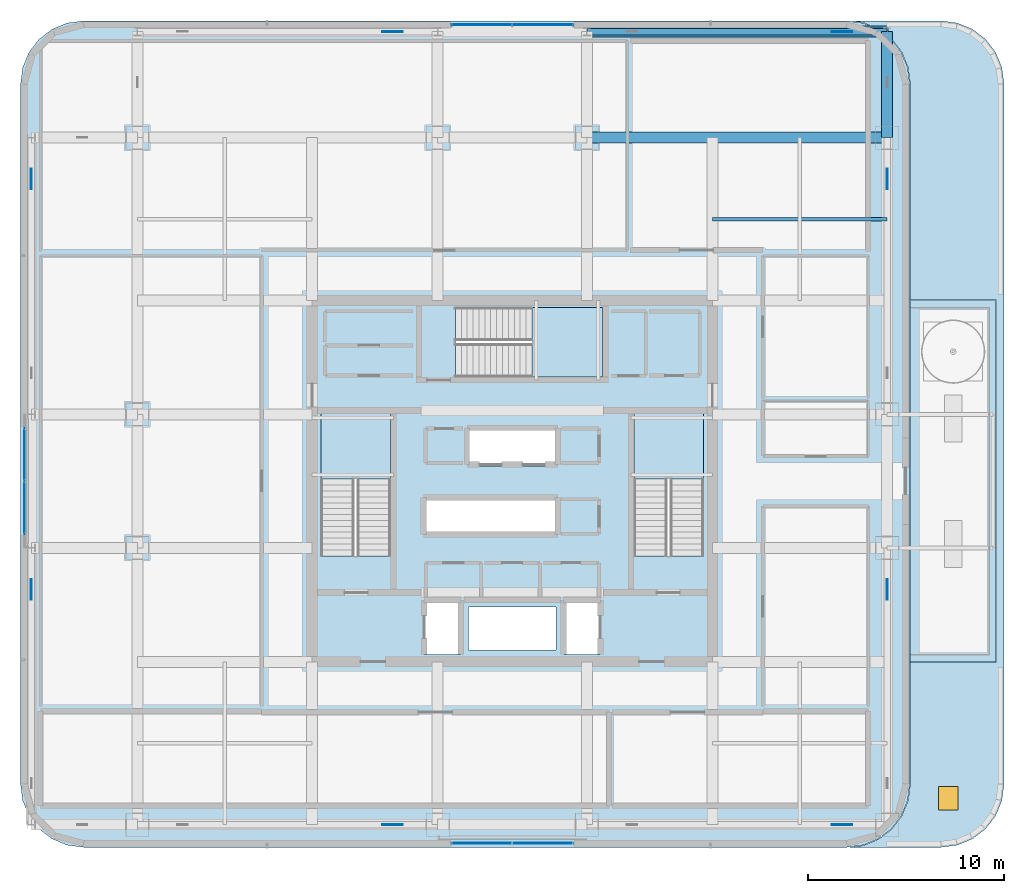
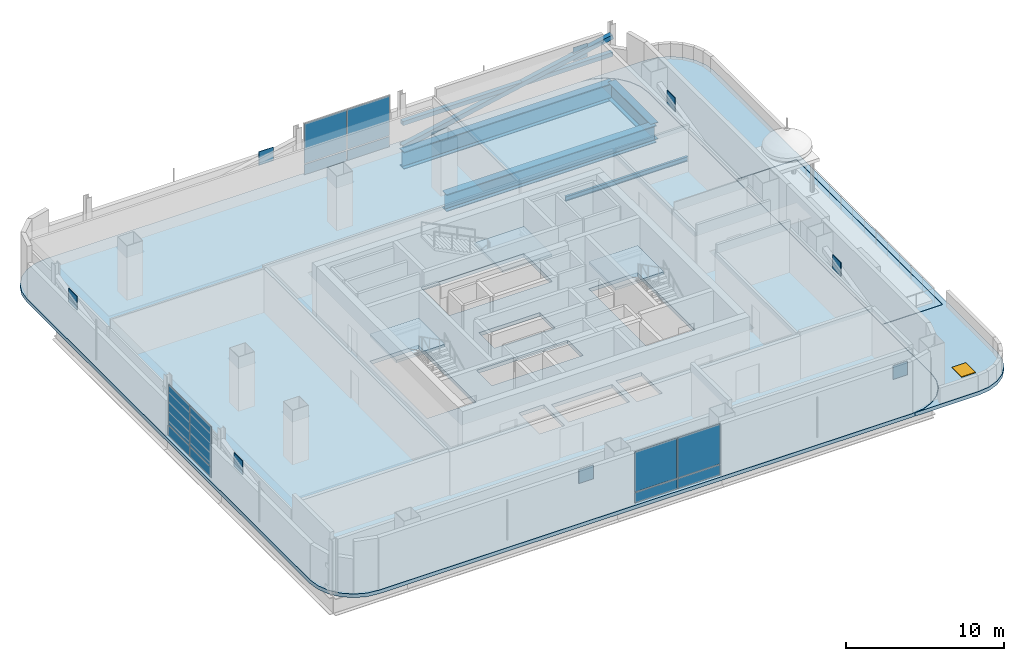
# One storey, part 8 of 31: 20 plates, 6 slabs, 4 beams, 2 members, 1 door, 1 opening, 6 elements without a shape of their own.
"""IFC4 building model written with IfcOpenShell, lengths in metres."""

from ifc_helpers import new_model, si_unit, direction, frame, origin, origin_2d, place, context, subcontext, project, spatial, polyline, rectangle, hollow_rectangle, i_section, outline, extrude, material, layer, layer_set, material_profile, profile_set, type_object, element, fill, aggregate, save


model = new_model("IFC4")

# Units and contexts
model_context = context("Model", 3, precision=1e-05, world=origin(), true_north=direction((0.0, 1.0)))
body_context = subcontext(model_context, "Body", "Model", "MODEL_VIEW")
ifc_project = project(units=[si_unit("LENGTHUNIT", "METRE"), si_unit("AREAUNIT", "SQUARE_METRE"), si_unit("VOLUMEUNIT", "CUBIC_METRE"), si_unit("PLANEANGLEUNIT", "RADIAN"), si_unit("MASSUNIT", "GRAM", prefix="KILO")], contexts=[model_context])

# Site, building, storey
site_placement = place(None, origin())
site = spatial("IfcSite", under=ifc_project, at=site_placement, CompositionType="ELEMENT")
building_placement = place(site_placement, origin())
building = spatial("IfcBuilding", under=site, at=building_placement, Name="Punatoya Terracotta Tower", CompositionType="ELEMENT")
storey_placement = place(building_placement, frame((0.0, 0.0, 283.800048828125)))
storey = spatial("IfcBuildingStorey", under=building, at=storey_placement, Name="L67", CompositionType="ELEMENT", Elevation=283.800048828125)

# Beams
ifc_material_1 = material(Name="Steel S355", Category="steel")
ifc_material_profile_1 = material_profile(ifc_material_1, i_section(OverallWidth=0.169921875, OverallDepth=0.360107421875, WebThickness=0.008056640625, FlangeThickness=0.0126953125, FilletRadius=0.01806640625, at=origin_2d()))
ifc_profile_set_1 = profile_set([ifc_material_profile_1], Name="Steel S355")
beam_type_1 = type_object("IfcBeamType", Name="BM-SEC-360", PredefinedType="JOIST", material=ifc_profile_set_1)
beam_1_placement = place(storey_placement, frame((10.199951171875, 13.35009765625, -0.4599609375), z_axis=(1.0, 0.0, 0.0), x_axis=(0.0, 1.0, 0.0)))
element("IfcBeam", 1, at=beam_1_placement, inside=storey, type_object=beam_type_1, Name="BM-L67-SJN-2", PredefinedType="JOIST", context=body_context, shape_type="SweptSolid", body=[
    extrude(i_section(OverallWidth=0.169921875, OverallDepth=0.360107421875, WebThickness=0.008056640625, FlangeThickness=0.0126953125, FilletRadius=0.01806640625, at=origin_2d()), origin(), (0.0, 0.0, 1.0), 8.900146484375),
])
ifc_material_2 = material(Name="Steel S460", Category="steel")
ifc_material_profile_2 = material_profile(ifc_material_2, i_section(OverallWidth=0.56005859375, OverallDepth=1.320068359375, WebThickness=0.035888671875, FlangeThickness=0.054931640625, FilletRadius=0.01806640625, at=origin_2d()))
ifc_profile_set_2 = profile_set([ifc_material_profile_2], Name="Steel S460")
beam_type_2 = type_object("IfcBeamType", Name="BM-TG-BLK", PredefinedType="BEAM", material=ifc_profile_set_2)
beam_2_placement = place(storey_placement, frame((3.800048828125, 17.5, -0.93994140625), z_axis=(1.0, 0.0, 0.0), x_axis=(0.0, 1.0, 0.0)))
element("IfcBeam", 2, at=beam_2_placement, inside=storey, type_object=beam_type_2, Name="BM-L67-RG-N3", PredefinedType="BEAM", context=body_context, shape_type="SweptSolid", body=[
    extrude(i_section(OverallWidth=0.56005859375, OverallDepth=1.320068359375, WebThickness=0.035888671875, FlangeThickness=0.054931640625, FilletRadius=0.01806640625, at=origin_2d()), origin(), (0.0, 0.0, 1.0), 15.300048828125),
])
beam_3_placement = place(storey_placement, frame((19.10009765625, 17.5, -0.93994140625), z_axis=(0.0, 1.0, 0.0), x_axis=(-1.0, 0.0, 0.0)))
element("IfcBeam", 3, at=beam_3_placement, inside=storey, type_object=beam_type_2, Name="BM-L67-CANT-N4", PredefinedType="BEAM", context=body_context, shape_type="SweptSolid", body=[
    extrude(i_section(OverallWidth=0.56005859375, OverallDepth=1.320068359375, WebThickness=0.035888671875, FlangeThickness=0.054931640625, FilletRadius=0.01806640625, at=origin_2d()), origin(), (0.0, 0.0, 1.0), 5.39990234375),
])
beam_4_placement = place(storey_placement, frame((3.800048828125, 22.89990234375, -0.93994140625), z_axis=(1.0, 0.0, 0.0), x_axis=(0.0, 1.0, 0.0)))
element("IfcBeam", 4, at=beam_4_placement, inside=storey, type_object=beam_type_2, Name="BM-L67-PER-N3", PredefinedType="BEAM", context=body_context, shape_type="SweptSolid", body=[
    extrude(i_section(OverallWidth=0.56005859375, OverallDepth=1.320068359375, WebThickness=0.035888671875, FlangeThickness=0.054931640625, FilletRadius=0.01806640625, at=origin_2d()), origin(), (0.0, 0.0, 1.0), 15.300048828125),
])

# Members
ifc_material_profile_3 = material_profile(ifc_material_2, hollow_rectangle(XDim=0.320068359375, YDim=0.320068359375, WallThickness=0.01806640625, at=origin_2d()))
ifc_profile_set_3 = profile_set([ifc_material_profile_3], Name="Steel S460")
member_type_1 = type_object("IfcMemberType", Name="MEM-CHD-320", PredefinedType="CHORD", material=ifc_profile_set_3)
member_1_placement = place(storey_placement, frame((3.800048828125, 22.89990234375, 1.849853515625), z_axis=(1.0, 0.0, 0.0), x_axis=(0.0, 1.0, 0.0)))
element("IfcMember", 5, at=member_1_placement, inside=storey, type_object=member_type_1, Name="L67 Exoskeleton Belt Truss Tie Chord N3", PredefinedType="CHORD", context=body_context, shape_type="SweptSolid", body=[
    extrude(hollow_rectangle(XDim=0.320068359375, YDim=0.320068359375, WallThickness=0.01806640625, at=origin_2d()), origin(), (0.0, 0.0, 1.0), 15.300048828125),
])
ifc_material_profile_4 = material_profile(ifc_material_2, hollow_rectangle(XDim=0.35009765625, YDim=0.35009765625, WallThickness=0.01806640625, at=origin_2d()))
ifc_profile_set_4 = profile_set([ifc_material_profile_4], Name="Steel S460")
member_type_2 = type_object("IfcMemberType", Name="MEM-EXO-350", PredefinedType="BRACE", material=ifc_profile_set_4)
member_2_placement = place(storey_placement, frame((3.800048828125, 22.89990234375, 0.02001953125), z_axis=(0.979077140745, 0.0, 0.203489440684), x_axis=(0.0, 1.0, 0.0)))
element("IfcMember", 6, at=member_2_placement, inside=storey, type_object=member_type_2, Name="L67 Exoskeleton Belt Brace N3", PredefinedType="BRACE", context=body_context, shape_type="SweptSolid", body=[
    extrude(hollow_rectangle(XDim=0.35009765625, YDim=0.35009765625, WallThickness=0.01806640625, at=origin_2d()), origin(), (0.0, 0.0, 1.0), 15.626953125),
])

# Curtain wall, plates
ifc_material_3 = material(Name="Aluminium 6063-T6 + Double Low-E Glass", Category="aluminium")
curtain_wall_type = type_object("IfcCurtainWallType", Name="CW-M3", PredefinedType="NOTDEFINED", material=ifc_material_3)
curtain_wall_1_placement = place(storey_placement, origin())
curtain_wall_1 = element("IfcCurtainWall", 7, at=curtain_wall_1_placement, inside=storey, type_object=curtain_wall_type, Name="L67 Curtain Wall CW-L67-S01-1", PredefinedType="NOTDEFINED")
ifc_material_4 = material(Name="Double Low-E Acoustic Vision Glass", Category="glass")
ifc_layer_1 = layer(ifc_material_4, 0.031982421875)
ifc_layer_set_1 = layer_set([ifc_layer_1], Name="Double Low-E Acoustic Vision Glass")
plate_type_1 = type_object("IfcPlateType", Name="PLT-GLZ-32", PredefinedType="CURTAIN_PANEL", material=ifc_layer_set_1)
plate_1_placement = place(storey_placement, frame((-1.574951171875, -18.449951171875, 0.89013671875), z_axis=(0.0, 0.0, 1.0), x_axis=(1.0, 0.0, 0.0)))
plate_1 = element("IfcPlate", 8, at=plate_1_placement, type_object=plate_type_1, Name="CW-L67-S01-1 Vision Glass Panel 1", PredefinedType="CURTAIN_PANEL", context=body_context, shape_type="SweptSolid", body=[
    extrude(rectangle(XDim=3.06494140625, YDim=0.031982421875, at=origin_2d()), origin(), (0.0, 0.0, 1.0), 3.070068359375),
])
plate_2_placement = place(storey_placement, frame((1.574951171875, -18.449951171875, 0.89013671875), z_axis=(0.0, 0.0, 1.0), x_axis=(1.0, 0.0, 0.0)))
plate_2 = element("IfcPlate", 9, at=plate_2_placement, type_object=plate_type_1, Name="CW-L67-S01-1 Vision Glass Panel 2", PredefinedType="CURTAIN_PANEL", context=body_context, shape_type="SweptSolid", body=[
    extrude(rectangle(XDim=3.06494140625, YDim=0.031982421875, at=origin_2d()), origin(), (0.0, 0.0, 1.0), 3.070068359375),
])

curtain_wall_2_placement = place(storey_placement, origin())
curtain_wall_2 = element("IfcCurtainWall", 10, at=curtain_wall_2_placement, inside=storey, type_object=curtain_wall_type, Name="L67 Curtain Wall CW-L67-N09-1", PredefinedType="NOTDEFINED")
plate_3_placement = place(storey_placement, frame((1.574951171875, 23.25, 0.89013671875), z_axis=(0.0, 0.0, 1.0), x_axis=(-1.0, 0.0, 0.0)))
plate_3 = element("IfcPlate", 11, at=plate_3_placement, type_object=plate_type_1, Name="CW-L67-N09-1 Vision Glass Panel 1", PredefinedType="CURTAIN_PANEL", context=body_context, shape_type="SweptSolid", body=[
    extrude(rectangle(XDim=3.06494140625, YDim=0.031982421875, at=origin_2d()), origin(), (0.0, 0.0, 1.0), 3.070068359375),
])
plate_4_placement = place(storey_placement, frame((-1.574951171875, 23.25, 0.89013671875), z_axis=(0.0, 0.0, 1.0), x_axis=(-1.0, 0.0, 0.0)))
plate_4 = element("IfcPlate", 12, at=plate_4_placement, type_object=plate_type_1, Name="CW-L67-N09-1 Vision Glass Panel 2", PredefinedType="CURTAIN_PANEL", context=body_context, shape_type="SweptSolid", body=[
    extrude(rectangle(XDim=3.06494140625, YDim=0.031982421875, at=origin_2d()), origin(), (0.0, 0.0, 1.0), 3.070068359375),
])

curtain_wall_3_placement = place(storey_placement, origin())
curtain_wall_3 = element("IfcCurtainWall", 13, at=curtain_wall_3_placement, inside=storey, type_object=curtain_wall_type, Name="L67 Curtain Wall CW-L67-W13-1", PredefinedType="NOTDEFINED")
plate_5_placement = place(storey_placement, frame((-24.85009765625, 1.375, 0.89013671875), z_axis=(0.0, 0.0, 1.0), x_axis=(0.0, -1.0, 0.0)))
plate_5 = element("IfcPlate", 14, at=plate_5_placement, type_object=plate_type_1, Name="CW-L67-W13-1 Vision Glass Panel 1", PredefinedType="CURTAIN_PANEL", context=body_context, shape_type="SweptSolid", body=[
    extrude(rectangle(XDim=2.6650390625, YDim=0.031982421875, at=origin_2d()), origin(), (0.0, 0.0, 1.0), 3.070068359375),
])
plate_6_placement = place(storey_placement, frame((-24.85009765625, -1.375, 0.89013671875), z_axis=(0.0, 0.0, 1.0), x_axis=(0.0, -1.0, 0.0)))
plate_6 = element("IfcPlate", 15, at=plate_6_placement, type_object=plate_type_1, Name="CW-L67-W13-1 Vision Glass Panel 2", PredefinedType="CURTAIN_PANEL", context=body_context, shape_type="SweptSolid", body=[
    extrude(rectangle(XDim=2.6650390625, YDim=0.031982421875, at=origin_2d()), origin(), (0.0, 0.0, 1.0), 3.070068359375),
])

# Plates
ifc_layer_2 = layer(ifc_material_2, 0.0400390625)
ifc_layer_set_2 = layer_set([ifc_layer_2], Name="Steel S460")
plate_type_2 = type_object("IfcPlateType", Name="PLT-GUS-40", PredefinedType="USERDEFINED", material=ifc_layer_set_2)
for number, where, z_axis, x_axis, name in (
    (16, (-6.094970703125, -17.5, 2.19775390625), (0.0, 0.0, 1.0), (1.0, 0.0, 0.0), "L67 Exoskeleton Node Gusset Plate S1"),
    (17, (16.804931640625, -17.5, 2.19775390625), (0.0, 0.0, 1.0), (1.0, 0.0, 0.0), "L67 Exoskeleton Node Gusset Plate S3"),
    (18, (-6.094970703125, 22.89990234375, 2.19775390625), (0.0, 0.0, 1.0), (1.0, 0.0, 0.0), "L67 Exoskeleton Node Gusset Plate N1"),
    (19, (16.804931640625, 22.89990234375, 2.19775390625), (0.0, 0.0, 1.0), (1.0, 0.0, 0.0), "L67 Exoskeleton Node Gusset Plate N3"),
    (20, (-24.5, -5.514892578125, 2.19775390625), (0.0, 0.0, 1.0), (0.0, 1.0, 0.0), "L67 Exoskeleton Node Gusset Plate W1"),
    (21, (-24.5, 15.385009765625, 2.19775390625), (0.0, 0.0, 1.0), (0.0, 1.0, 0.0), "L67 Exoskeleton Node Gusset Plate W3"),
    (22, (19.10009765625, -5.514892578125, 2.19775390625), (0.0, 0.0, 1.0), (0.0, 1.0, 0.0), "L67 Exoskeleton Node Gusset Plate E1"),
    (23, (19.10009765625, 15.385009765625, 2.19775390625), (0.0, 0.0, 1.0), (0.0, 1.0, 0.0), "L67 Exoskeleton Node Gusset Plate E3"),
):
    element("IfcPlate", number, at=place(storey_placement, frame(where, z_axis=z_axis, x_axis=x_axis)), inside=storey, type_object=plate_type_2, Name=name, ObjectType="GUSSET_PLATE", PredefinedType="USERDEFINED", context=body_context, shape_type="SweptSolid", body=[
        extrude(rectangle(XDim=1.050048828125, YDim=0.0400390625, at=origin_2d()), origin(), (0.0, 0.0, 1.0), 1.050048828125),
    ])

# Plate
ifc_material_5 = material(Name="Insulated Terracotta-Backed Spandrel Panel", Category="masonry")
ifc_layer_3 = layer(ifc_material_5, 0.044921875)
ifc_layer_set_3 = layer_set([ifc_layer_3], Name="Insulated Terracotta-Backed Spandrel Panel")
plate_type_3 = type_object("IfcPlateType", Name="PLT-SPN-45", PredefinedType="CURTAIN_PANEL", material=ifc_layer_set_3)
plate_7_placement = place(storey_placement, frame((-1.574951171875, -18.449951171875, 0.0400390625), z_axis=(0.0, 0.0, 1.0), x_axis=(1.0, 0.0, 0.0)))
plate_7 = element("IfcPlate", 24, at=plate_7_placement, type_object=plate_type_3, Name="CW-L67-S01-1 Terracotta Spandrel Panel 1", PredefinedType="CURTAIN_PANEL", context=body_context, shape_type="SweptSolid", body=[
    extrude(rectangle(XDim=3.06494140625, YDim=0.044921875, at=origin_2d()), origin(), (0.0, 0.0, 1.0), 0.77490234375),
])

plate_8_placement = place(storey_placement, frame((1.574951171875, -18.449951171875, 0.0400390625), z_axis=(0.0, 0.0, 1.0), x_axis=(1.0, 0.0, 0.0)))
plate_8 = element("IfcPlate", 25, at=plate_8_placement, type_object=plate_type_3, Name="CW-L67-S01-1 Terracotta Spandrel Panel 2", PredefinedType="CURTAIN_PANEL", context=body_context, shape_type="SweptSolid", body=[
    extrude(rectangle(XDim=3.06494140625, YDim=0.044921875, at=origin_2d()), origin(), (0.0, 0.0, 1.0), 0.77490234375),
])

aggregate(curtain_wall_1, [plate_7, plate_1, plate_8, plate_2])

plate_9_placement = place(storey_placement, frame((1.574951171875, 23.25, 0.0400390625), z_axis=(0.0, 0.0, 1.0), x_axis=(-1.0, 0.0, 0.0)))
plate_9 = element("IfcPlate", 26, at=plate_9_placement, type_object=plate_type_3, Name="CW-L67-N09-1 Terracotta Spandrel Panel 1", PredefinedType="CURTAIN_PANEL", context=body_context, shape_type="SweptSolid", body=[
    extrude(rectangle(XDim=3.06494140625, YDim=0.044921875, at=origin_2d()), origin(), (0.0, 0.0, 1.0), 0.77490234375),
])

plate_10_placement = place(storey_placement, frame((-1.574951171875, 23.25, 0.0400390625), z_axis=(0.0, 0.0, 1.0), x_axis=(-1.0, 0.0, 0.0)))
plate_10 = element("IfcPlate", 27, at=plate_10_placement, type_object=plate_type_3, Name="CW-L67-N09-1 Terracotta Spandrel Panel 2", PredefinedType="CURTAIN_PANEL", context=body_context, shape_type="SweptSolid", body=[
    extrude(rectangle(XDim=3.06494140625, YDim=0.044921875, at=origin_2d()), origin(), (0.0, 0.0, 1.0), 0.77490234375),
])

aggregate(curtain_wall_2, [plate_9, plate_3, plate_10, plate_4])

plate_11_placement = place(storey_placement, frame((-24.85009765625, 1.375, 0.0400390625), z_axis=(0.0, 0.0, 1.0), x_axis=(0.0, -1.0, 0.0)))
plate_11 = element("IfcPlate", 28, at=plate_11_placement, type_object=plate_type_3, Name="CW-L67-W13-1 Terracotta Spandrel Panel 1", PredefinedType="CURTAIN_PANEL", context=body_context, shape_type="SweptSolid", body=[
    extrude(rectangle(XDim=2.6650390625, YDim=0.044921875, at=origin_2d()), origin(), (0.0, 0.0, 1.0), 0.77490234375),
])

plate_12_placement = place(storey_placement, frame((-24.85009765625, -1.375, 0.0400390625), z_axis=(0.0, 0.0, 1.0), x_axis=(0.0, -1.0, 0.0)))
plate_12 = element("IfcPlate", 29, at=plate_12_placement, type_object=plate_type_3, Name="CW-L67-W13-1 Terracotta Spandrel Panel 2", PredefinedType="CURTAIN_PANEL", context=body_context, shape_type="SweptSolid", body=[
    extrude(rectangle(XDim=2.6650390625, YDim=0.044921875, at=origin_2d()), origin(), (0.0, 0.0, 1.0), 0.77490234375),
])

aggregate(curtain_wall_3, [plate_11, plate_5, plate_12, plate_6])

# Stair, slab
ifc_material_6 = material(Name="Concrete C40/50", Category="concrete")
stair_type_1 = type_object("IfcStairType", Name="STR-TER-1450", PredefinedType="HALF_TURN_STAIR", material=ifc_material_6)
stair_1_placement = place(storey_placement, origin())
stair_1 = element("IfcStair", 30, at=stair_1_placement, inside=storey, type_object=stair_type_1, Name="L67 Protected Core Exit Stair ST-3", PredefinedType="HALF_TURN_STAIR")
ifc_layer_4 = layer(ifc_material_6, 0.1650390625)
ifc_layer_set_4 = layer_set([ifc_layer_4], Name="Concrete C40/50")
slab_type_1 = type_object("IfcSlabType", Name="SLB-LND-165", PredefinedType="LANDING", material=ifc_layer_set_4)
slab_1_placement = place(storey_placement, frame((0.0, 0.0, 1.89990234375)))
slab_1 = element("IfcSlab", 31, at=slab_1_placement, type_object=slab_type_1, Name="ST-3 landing 1", PredefinedType="LANDING", context=body_context, shape_type="SweptSolid", body=[
    extrude(outline(polyline([(1.0, 5.300048828125), (4.60009765625, 5.300048828125), (4.60009765625, 8.85009765625), (1.0, 8.85009765625), (1.0, 5.300048828125)])), origin(), (0.0, 0.0, 1.0), 0.199951171875),
])
aggregate(stair_1, [slab_1])

stair_type_2 = type_object("IfcStairType", Name="STR-CORE-1550", PredefinedType="HALF_TURN_STAIR", material=ifc_material_6)
stair_2_placement = place(storey_placement, origin())
stair_2 = element("IfcStair", 32, at=stair_2_placement, inside=storey, type_object=stair_type_2, Name="L67 Protected Core Exit Stair ST-1", PredefinedType="HALF_TURN_STAIR")
ifc_layer_5 = layer(ifc_material_6, 0.179931640625)
ifc_layer_set_5 = layer_set([ifc_layer_5], Name="Concrete C40/50")
slab_type_2 = type_object("IfcSlabType", Name="SLB-LND-180", PredefinedType="LANDING", material=ifc_layer_set_5)
slab_2_placement = place(storey_placement, frame((0.0, 0.0, 1.89990234375)))
slab_2 = element("IfcSlab", 33, at=slab_2_placement, type_object=slab_type_2, Name="ST-1 landing 1", PredefinedType="LANDING", context=body_context, shape_type="SweptSolid", body=[
    extrude(outline(polyline([(-6.199951171875, 0.10009765625), (-6.199951171875, 3.449951171875), (-9.75, 3.449951171875), (-9.75, 0.10009765625), (-6.199951171875, 0.10009765625)])), origin(), (0.0, 0.0, 1.0), 0.199951171875),
])
aggregate(stair_2, [slab_2])

stair_type_3 = type_object("IfcStairType", Name="STR-LOB-1650", PredefinedType="HALF_TURN_STAIR", material=ifc_material_6)
stair_3_placement = place(storey_placement, origin())
stair_3 = element("IfcStair", 34, at=stair_3_placement, inside=storey, type_object=stair_type_3, Name="L67 Protected Core Exit Stair ST-2", PredefinedType="HALF_TURN_STAIR")
slab_3_placement = place(storey_placement, frame((0.0, 0.0, 1.89990234375)))
slab_3 = element("IfcSlab", 35, at=slab_3_placement, type_object=slab_type_2, Name="ST-2 landing 1", PredefinedType="LANDING", context=body_context, shape_type="SweptSolid", body=[
    extrude(outline(polyline([(9.75, 0.10009765625), (9.75, 3.449951171875), (6.199951171875, 3.449951171875), (6.199951171875, 0.10009765625), (9.75, 0.10009765625)])), origin(), (0.0, 0.0, 1.0), 0.199951171875),
])
aggregate(stair_3, [slab_3])

# Slab
ifc_layer_6 = layer(ifc_material_6, 0.280029296875)
ifc_layer_set_6 = layer_set([ifc_layer_6], Name="Concrete C40/50")
slab_type_3 = type_object("IfcSlabType", Name="SLB-POD-280", PredefinedType="FLOOR", material=ifc_layer_set_6)
slab_4_placement = place(storey_placement, frame((0.0, 0.0, -0.280029296875)))
element("IfcSlab", 36, at=slab_4_placement, inside=storey, type_object=slab_type_3, Name="L67 Structural Floor Slab", PredefinedType="FLOOR", context=body_context, shape_type="SweptSolid", body=[
    extrude(outline(polyline([(-21.85009765625, -18.64990234375), (-22.67822265625, -18.541015625), (-23.449951171875, -18.22119140625), (-24.11279296875, -17.712646484375), (-24.621337890625, -17.050048828125), (-24.94091796875, -16.2783203125), (-25.050048828125, -15.449951171875), (-25.050048828125, 20.25), (-24.94091796875, 21.078125), (-24.621337890625, 21.85009765625), (-24.11279296875, 22.5126953125), (-23.449951171875, 23.021240234375), (-22.67822265625, 23.341064453125), (-21.85009765625, 23.449951171875), (17.050048828125, 23.449951171875), (17.878173828125, 23.341064453125), (18.64990234375, 23.021240234375), (19.312744140625, 22.5126953125), (19.8212890625, 21.85009765625), (20.14111328125, 21.078125), (20.25, 20.25), (20.25, -15.449951171875), (20.14111328125, -16.2783203125), (19.8212890625, -17.050048828125), (19.312744140625, -17.712646484375), (18.64990234375, -18.22119140625), (17.878173828125, -18.541015625), (17.050048828125, -18.64990234375), (-21.85009765625, -18.64990234375)]), holes=[polyline([(-2.6298828125, -6.179931640625), (-4.469970703125, -6.179931640625), (-4.469970703125, -8.820068359375), (-2.6298828125, -8.820068359375), (-2.6298828125, -6.179931640625)]), polyline([(0.02001953125, -8.594970703125), (2.219970703125, -8.594970703125), (2.219970703125, -6.405029296875), (0.02001953125, -6.405029296875), (-0.02001953125, -6.405029296875), (-2.219970703125, -6.405029296875), (-2.219970703125, -8.594970703125), (-0.02001953125, -8.594970703125), (0.02001953125, -8.594970703125)]), polyline([(-2.219970703125, -2.719970703125), (-2.179931640625, -2.719970703125), (-0.02001953125, -2.719970703125), (0.02001953125, -2.719970703125), (2.219970703125, -2.719970703125), (2.219970703125, -0.780029296875), (0.02001953125, -0.780029296875), (-0.02001953125, -0.780029296875), (-2.179931640625, -0.780029296875), (-2.219970703125, -0.780029296875), (-4.419921875, -0.780029296875), (-4.419921875, -2.719970703125), (-2.219970703125, -2.719970703125)]), polyline([(-6.199951171875, 3.449951171875), (-9.75, 3.449951171875), (-9.75, -3.79931640625), (-6.199951171875, -3.79931640625), (-6.199951171875, 3.449951171875)]), polyline([(0.02001953125, 0.780029296875), (2.219970703125, 0.780029296875), (2.219970703125, 2.719970703125), (0.02001953125, 2.719970703125), (-0.02001953125, 2.719970703125), (-2.219970703125, 2.719970703125), (-2.219970703125, 0.780029296875), (-0.02001953125, 0.780029296875), (0.02001953125, 0.780029296875)]), polyline([(4.469970703125, -8.820068359375), (4.469970703125, -6.179931640625), (2.6298828125, -6.179931640625), (2.6298828125, -8.820068359375), (4.469970703125, -8.820068359375)]), polyline([(6.199951171875, 3.449951171875), (6.199951171875, -3.79931640625), (9.75, -3.79931640625), (9.75, 3.449951171875), (6.199951171875, 3.449951171875)]), polyline([(4.60009765625, 5.300048828125), (4.60009765625, 8.85009765625), (-2.899169921875, 8.85009765625), (-2.899169921875, 5.300048828125), (4.60009765625, 5.300048828125)])]), origin(), (0.0, 0.0, 1.0), 0.280029296875),
])

# Slab, opening, door
ifc_layer_7 = layer(ifc_material_6, 0.280029296875)
ifc_layer_set_7 = layer_set([ifc_layer_7], Name="Concrete C40/50")
slab_type_4 = type_object("IfcSlabType", Name="SLB-ROF-280", PredefinedType="ROOF", material=ifc_layer_set_7)
slab_5_placement = place(storey_placement, frame((0.0, 0.0, -0.280029296875)))
slab_5 = element("IfcSlab", 37, at=slab_5_placement, inside=storey, type_object=slab_type_4, Name="L67 Junction Roof Slab 1 over L66 Plate", PredefinedType="ROOF", context=body_context, shape_type="SweptSolid", body=[
    extrude(outline(polyline([(23.449951171875, 23.021240234375), (22.67822265625, 23.341064453125), (21.85009765625, 23.449951171875), (17.203369140625, 23.449951171875), (17.88330078125, 23.360595703125), (18.66015625, 23.038818359375), (19.326904296875, 22.527099609375), (19.8388671875, 21.860107421875), (20.160400390625, 21.08349609375), (20.27001953125, 20.251220703125), (20.27001953125, 9.219970703125), (24.669921875, 9.219970703125), (24.669921875, -9.219970703125), (20.27001953125, -9.219970703125), (20.27001953125, -15.451416015625), (20.160400390625, -16.283447265625), (19.8388671875, -17.06005859375), (19.326904296875, -17.72705078125), (18.66015625, -18.23876953125), (17.88330078125, -18.560546875), (17.203369140625, -18.64990234375), (21.85009765625, -18.64990234375), (22.67822265625, -18.541015625), (23.449951171875, -18.22119140625), (24.11279296875, -17.712646484375), (24.621337890625, -17.050048828125), (24.94091796875, -16.2783203125), (25.050048828125, -15.449951171875), (25.050048828125, 20.25), (24.94091796875, 21.078125), (24.621337890625, 21.85009765625), (24.11279296875, 22.5126953125), (23.449951171875, 23.021240234375)]), holes=[polyline([(22.703369140625, -15.550048828125), (22.703369140625, -16.75), (21.703369140625, -16.75), (21.703369140625, -15.550048828125), (22.703369140625, -15.550048828125)])]), origin(), (0.0, 0.0, 1.0), 0.280029296875),
])
opening_placement = place(slab_5_placement, frame((22.203369140625, -16.14990234375, 0.0)))
opening = element("IfcOpeningElement", 38, at=opening_placement, cuts=slab_5, Name="Opening RHT-1", PredefinedType="OPENING", context=body_context, shape_type="SweptSolid", body=[
    extrude(rectangle(XDim=1.0, YDim=1.199951171875, at=origin_2d()), frame((0.0, 0.0, -0.010009765625)), (0.0, 0.0, 1.0), 0.35009765625),
])
ifc_material_7 = material(Name="Insulated Aluminium Roof Hatch", Category="aluminium")
door_type = type_object("IfcDoorType", Name="DR-HTCH-1000", OperationType="NOTDEFINED", PredefinedType="TRAPDOOR", material=ifc_material_7)
door_placement = place(opening_placement, frame((0.0, 0.0, 0.280029296875)))
door = element("IfcDoor", 39, at=door_placement, inside=storey, type_object=door_type, Name="L67 Junction Roof Maintenance Hatch 1", OperationType="SINGLE_SWING_LEFT", OverallHeight=1.199951171875, OverallWidth=1.0, PredefinedType="TRAPDOOR", context=body_context, shape_type="SweptSolid", body=[
    extrude(rectangle(XDim=1.0, YDim=1.199951171875, at=origin_2d()), origin(), (0.0, 0.0, 1.0), 0.050048828125),
])
fill(opening, door)

# Slab
ifc_layer_8 = layer(ifc_material_6, 0.22998046875)
ifc_layer_set_8 = layer_set([ifc_layer_8], Name="Concrete C40/50")
slab_type_5 = type_object("IfcSlabType", Name="SLB-TER-230", PredefinedType="FLOOR", material=ifc_layer_set_8)
slab_6_placement = place(storey_placement, frame((0.0, 0.0, -0.22998046875)))
element("IfcSlab", 40, at=slab_6_placement, inside=storey, type_object=slab_type_5, Name="L67 Spiralling Sky Terrace", PredefinedType="FLOOR", context=body_context, shape_type="SweptSolid", body=[
    extrude(outline(polyline([(24.64990234375, 9.199951171875), (24.64990234375, -9.199951171875), (20.27001953125, -9.199951171875), (20.27001953125, 9.199951171875), (24.64990234375, 9.199951171875)])), origin(), (0.0, 0.0, 1.0), 0.22998046875),
])

save(model, "model.ifc")
